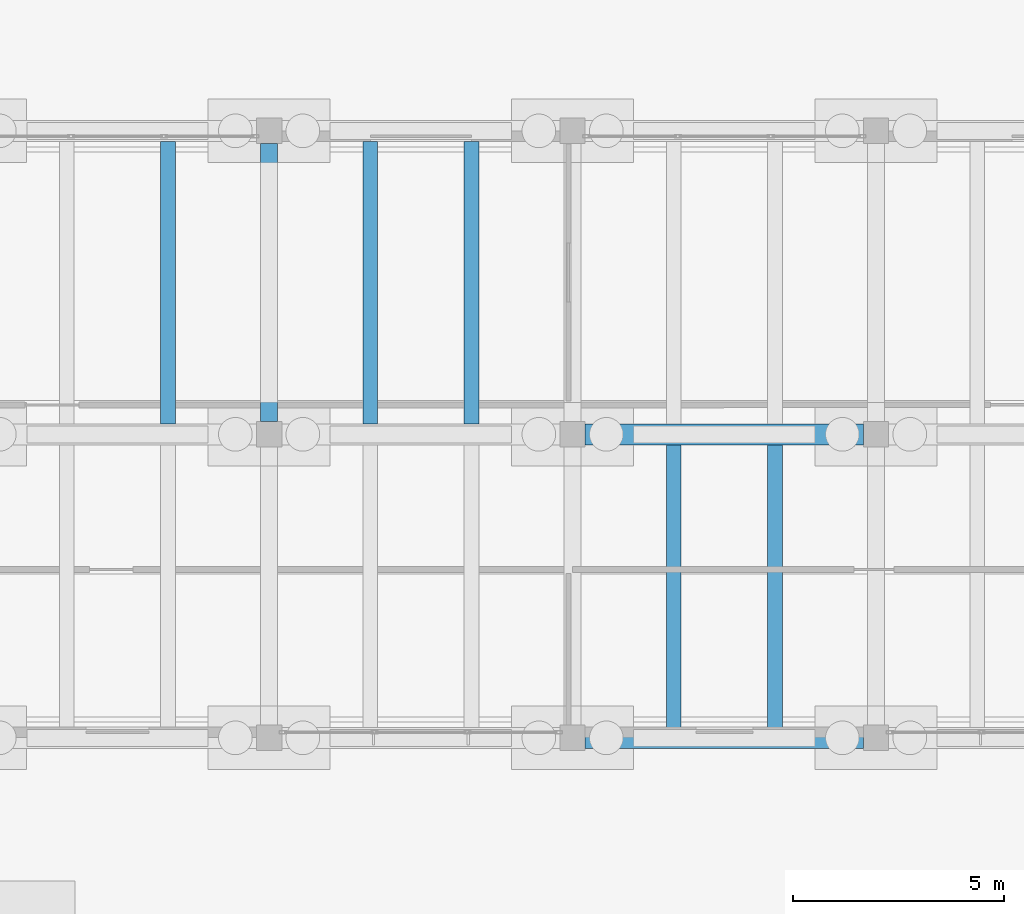
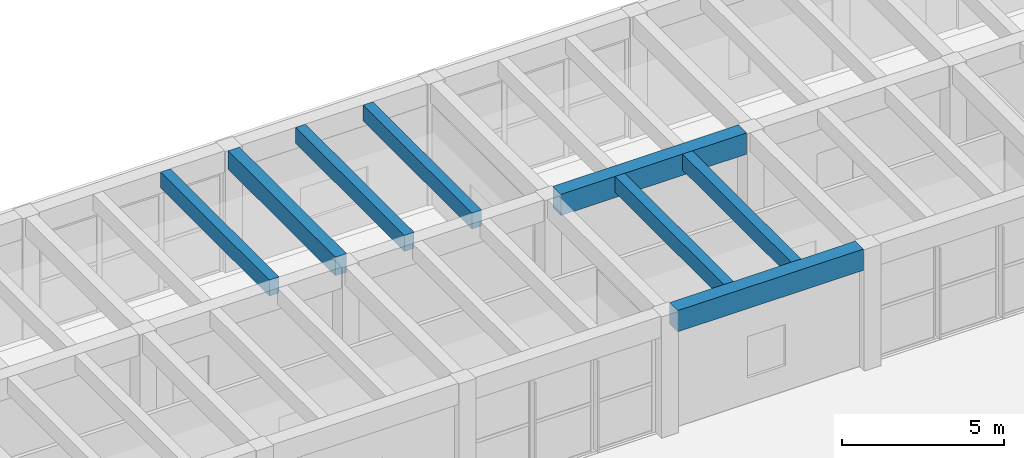
# One storey, part 100 of 155: 8 beams.
"""IFC4 building model written with IfcOpenShell, lengths in metres."""

from ifc_helpers import new_model, si_unit, direction, frame, origin, origin_2d, place, context, subcontext, project, spatial, rectangle, extrude, material, material_profile, profile_set, type_object, element, save


model = new_model("IFC4")

# Units and contexts
model_context = context("Model", 3, precision=1e-05, world=origin(), true_north=direction((0.0, 1.0)))
body_context = subcontext(model_context, "Body", "Model", "MODEL_VIEW")
ifc_project = project(units=[si_unit("LENGTHUNIT", "METRE"), si_unit("AREAUNIT", "SQUARE_METRE"), si_unit("VOLUMEUNIT", "CUBIC_METRE"), si_unit("PLANEANGLEUNIT", "RADIAN"), si_unit("MASSUNIT", "GRAM", prefix="KILO")], contexts=[model_context])

# Site, building, storey
site_placement = place(None, origin())
site = spatial("IfcSite", under=ifc_project, at=site_placement, CompositionType="ELEMENT")
building_placement = place(site_placement, origin())
building = spatial("IfcBuilding", under=site, at=building_placement, Name="Bramvelor Terrace Health Centre", CompositionType="ELEMENT")
storey_placement = place(building_placement, origin())
storey = spatial("IfcBuildingStorey", under=building, at=storey_placement, Name="L01", CompositionType="ELEMENT", Elevation=0.0)

# Beams
ifc_material_1 = material(Name="Concrete C40/50", Category="concrete")
ifc_material_profile_1 = material_profile(ifc_material_1, rectangle(XDim=0.39990234375, YDim=0.699951171875, at=origin_2d()), Name="RC 400x700")
ifc_profile_set_1 = profile_set([ifc_material_profile_1], Name="Concrete C40/50")
beam_type_1 = type_object("IfcBeamType", Name="BM-RC-G700", PredefinedType="BEAM", material=ifc_profile_set_1)
beam_placement = place(storey_placement, frame((129.60009765625, 57.89990234375, 4.2099609375), z_axis=(0.0, 1.0, 0.0), x_axis=(-1.0, 0.0, 0.0)))
element("IfcBeam", 1, at=beam_placement, inside=storey, type_object=beam_type_1, Name="L01 Floor Girder", PredefinedType="BEAM", context=body_context, shape_type="SweptSolid", body=[
    extrude(rectangle(XDim=0.39990234375, YDim=0.699951171875, at=origin_2d()), origin(), (0.0, 0.0, 1.0), 6.60009765625),
])
ifc_material_2 = material(Name="Concrete C40/50", Category="concrete")
ifc_material_profile_2 = material_profile(ifc_material_2, rectangle(XDim=0.5, YDim=0.800048828125, at=origin_2d()), Name="RC 500x800")
ifc_profile_set_2 = profile_set([ifc_material_profile_2], Name="Concrete C40/50")
beam_type_2 = type_object("IfcBeamType", Name="BM-RC-G800", PredefinedType="BEAM", material=ifc_profile_set_2)
for number, where, z_axis, x_axis, name in (
    (2, (137.10009765625, 50.39990234375, 4.159912109375), (1.0, 0.0, 0.0), (0.0, 1.0, 0.0), "L01 Floor Girder"),
    (3, (137.10009765625, 57.60009765625, 4.159912109375), (1.0, 0.0, 0.0), (0.0, 1.0, 0.0), "L01 Floor Girder"),
):
    element("IfcBeam", number, at=place(storey_placement, frame(where, z_axis=z_axis, x_axis=x_axis)), inside=storey, type_object=beam_type_2, Name=name, PredefinedType="BEAM", context=body_context, shape_type="SweptSolid", body=[
        extrude(rectangle(XDim=0.5, YDim=0.800048828125, at=origin_2d()), origin(), (0.0, 0.0, 1.0), 6.599853515625),
    ])
ifc_material_3 = material(Name="Concrete C40/50", Category="concrete")
ifc_material_profile_3 = material_profile(ifc_material_3, rectangle(XDim=0.35009765625, YDim=0.60009765625, at=origin_2d()), Name="RC 350x600")
ifc_profile_set_3 = profile_set([ifc_material_profile_3], Name="Concrete C40/50")
beam_type_3 = type_object("IfcBeamType", Name="BM-RC-J600", PredefinedType="JOIST", material=ifc_profile_set_3)
for number, where, z_axis, x_axis, name in (
    (4, (127.199951171875, 57.85009765625, 4.260009765625), (0.0, 1.0, 0.0), (-1.0, 0.0, 0.0), "L01 Secondary Floor Joist"),
    (5, (132.0, 57.85009765625, 4.260009765625), (0.0, 1.0, 0.0), (-1.0, 0.0, 0.0), "L01 Secondary Floor Joist"),
    (6, (134.39990234375, 57.85009765625, 4.260009765625), (0.0, 1.0, 0.0), (-1.0, 0.0, 0.0), "L01 Secondary Floor Joist"),
):
    element("IfcBeam", number, at=place(storey_placement, frame(where, z_axis=z_axis, x_axis=x_axis)), inside=storey, type_object=beam_type_3, Name=name, PredefinedType="JOIST", context=body_context, shape_type="SweptSolid", body=[
        extrude(rectangle(XDim=0.35009765625, YDim=0.60009765625, at=origin_2d()), origin(), (0.0, 0.0, 1.0), 6.699951171875),
    ])
for number, where, z_axis, x_axis, name in (
    (7, (139.199951171875, 50.64990234375, 4.260009765625), (0.0, 1.0, 0.0), (-1.0, 0.0, 0.0), "L01 Secondary Floor Joist"),
    (8, (141.60009765625, 50.64990234375, 4.260009765625), (0.0, 1.0, 0.0), (-1.0, 0.0, 0.0), "L01 Secondary Floor Joist"),
):
    element("IfcBeam", number, at=place(storey_placement, frame(where, z_axis=z_axis, x_axis=x_axis)), inside=storey, type_object=beam_type_3, Name=name, PredefinedType="JOIST", context=body_context, shape_type="SweptSolid", body=[
        extrude(rectangle(XDim=0.35009765625, YDim=0.60009765625, at=origin_2d()), origin(), (0.0, 0.0, 1.0), 6.7001953125),
    ])

save(model, "model.ifc")
